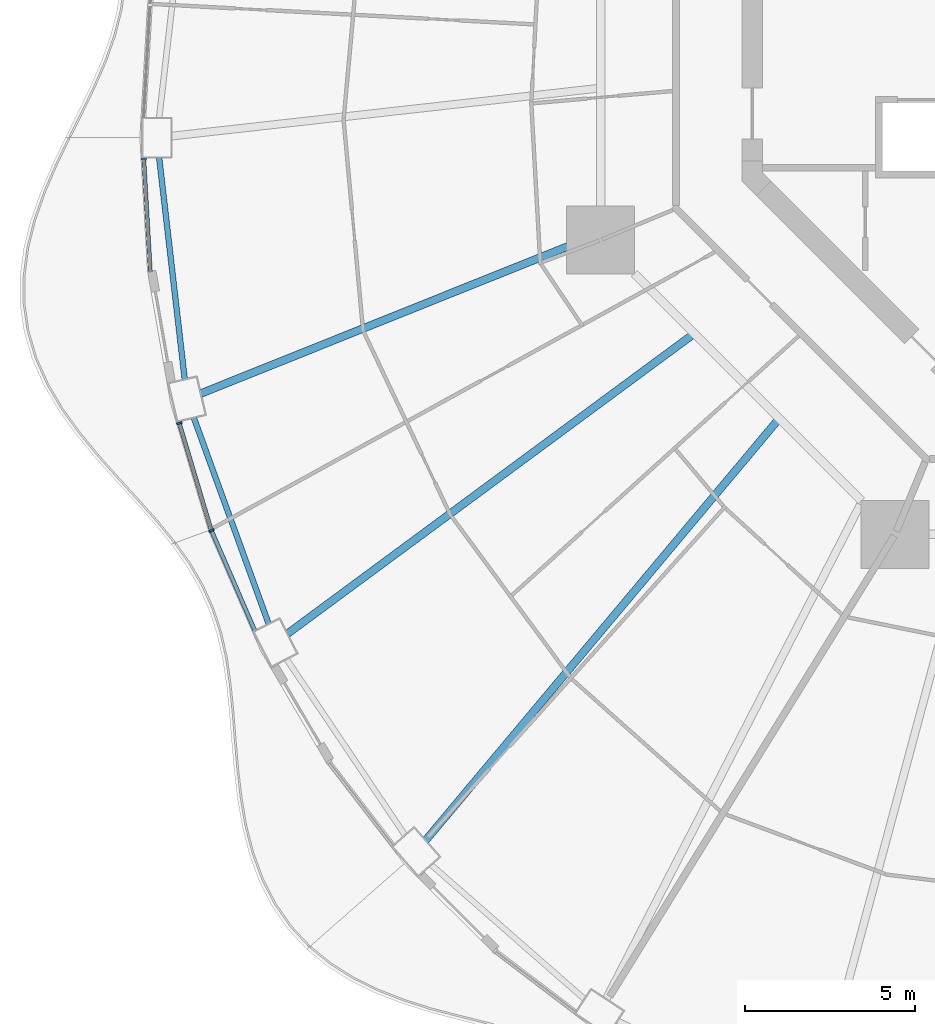
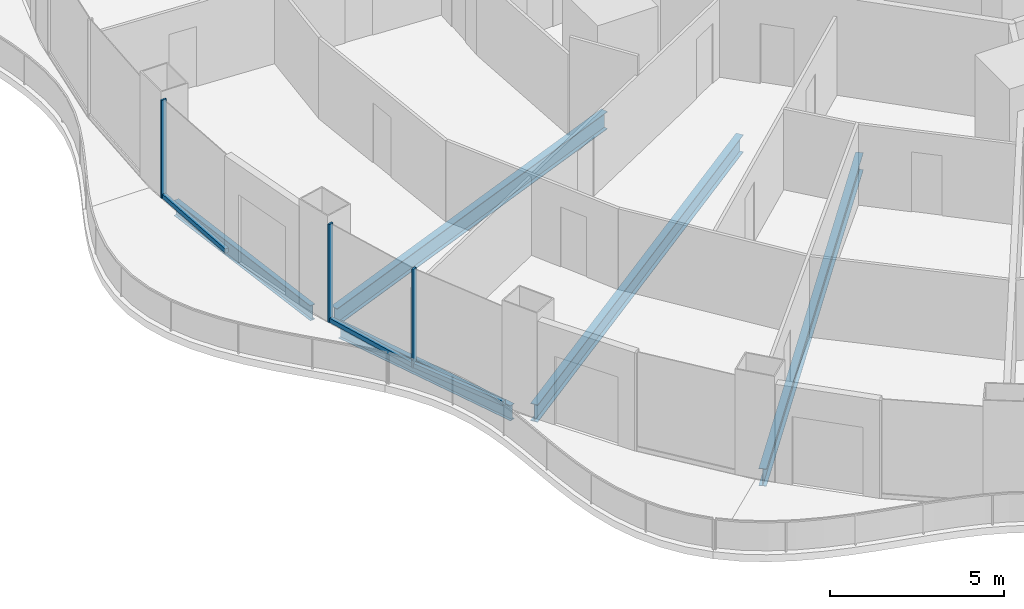
# One storey, part 3 of 20: 6 members, 5 beams, 3 elements without a shape of their own.
"""IFC4 building model written with IfcOpenShell, lengths in metres."""

from ifc_helpers import new_model, si_unit, direction, frame, origin, origin_2d, place, context, subcontext, project, spatial, rectangle, i_section, extrude, material, layer, layer_set, material_profile, profile_set, type_object, element, aggregate, save


model = new_model("IFC4")

# Units and contexts
model_context = context("Model", 3, precision=1e-05, world=origin(), true_north=direction((0.0, 1.0)))
body_context = subcontext(model_context, "Body", "Model", "MODEL_VIEW")
ifc_project = project(units=[si_unit("LENGTHUNIT", "METRE"), si_unit("AREAUNIT", "SQUARE_METRE"), si_unit("VOLUMEUNIT", "CUBIC_METRE"), si_unit("PLANEANGLEUNIT", "RADIAN"), si_unit("MASSUNIT", "GRAM", prefix="KILO")], contexts=[model_context])

# Site, building, storey
site_placement = place(None, origin())
site = spatial("IfcSite", under=ifc_project, at=site_placement, CompositionType="ELEMENT")
building_placement = place(site_placement, origin())
building = spatial("IfcBuilding", under=site, at=building_placement, Name="Nagisa Residences", CompositionType="ELEMENT")
storey_placement = place(building_placement, frame((0.0, 0.0, 141.800048828125)))
storey = spatial("IfcBuildingStorey", under=building, at=storey_placement, Name="L35", CompositionType="ELEMENT", Elevation=141.800048828125)

# Curtain wall, member
ifc_material_1 = material(Name="Concrete-coloured aluminium curtain wall system", Category="concrete")
ifc_layer = layer(ifc_material_1, 0.159912109375)
ifc_layer_set = layer_set([ifc_layer], Name="CW1 CURTAIN WALL")
curtain_wall_type = type_object("IfcCurtainWallType", Name="CW1 CURTAIN WALL", PredefinedType="NOTDEFINED", material=ifc_layer_set)
curtain_wall_1_placement = place(storey_placement, origin())
curtain_wall_1 = element("IfcCurtainWall", 1, at=curtain_wall_1_placement, inside=storey, type_object=curtain_wall_type, Name="cw:CW1:L35:24", PredefinedType="NOTDEFINED")
ifc_material_2 = material(Name="Concrete-coloured aluminium", Category="concrete")
ifc_material_profile_1 = material_profile(ifc_material_2, rectangle(XDim=0.159912109375, YDim=0.06005859375, at=origin_2d()), Name="CW1 MULLION 160x60")
ifc_profile_set_1 = profile_set([ifc_material_profile_1], Name="Concrete-coloured aluminium")
member_type_1 = type_object("IfcMemberType", Name="CW1 MULLION 160x60", PredefinedType="MULLION", material=ifc_profile_set_1)
member_1_placement = place(storey_placement, frame((-28.218994140625, -3.741943359375, 0.0), z_axis=(0.0, 0.0, 1.0), x_axis=(0.998345305184, 0.057503492216, 0.0)))
member_1 = element("IfcMember", 2, at=member_1_placement, type_object=member_type_1, Name="CW1 mullion", PredefinedType="MULLION", context=body_context, shape_type="SweptSolid", body=[
    extrude(rectangle(XDim=0.159912109375, YDim=0.06005859375, at=origin_2d()), origin(), (0.0, 0.0, 1.0), 3.43994140625),
])

curtain_wall_2_placement = place(storey_placement, origin())
curtain_wall_2 = element("IfcCurtainWall", 3, at=curtain_wall_2_placement, inside=storey, type_object=curtain_wall_type, Name="cw:CW1:L35:26", PredefinedType="NOTDEFINED")
member_2_placement = place(storey_placement, frame((-27.174072265625, -11.513671875, 0.0), z_axis=(0.0, 0.0, 1.0), x_axis=(0.958271310082, 0.285860274038, 0.0)))
member_2 = element("IfcMember", 4, at=member_2_placement, type_object=member_type_1, Name="CW1 mullion", PredefinedType="MULLION", context=body_context, shape_type="SweptSolid", body=[
    extrude(rectangle(XDim=0.159912109375, YDim=0.06005859375, at=origin_2d()), origin(), (0.0, 0.0, 1.0), 3.43994140625),
])

curtain_wall_3_placement = place(storey_placement, origin())
curtain_wall_3 = element("IfcCurtainWall", 5, at=curtain_wall_3_placement, inside=storey, type_object=curtain_wall_type, Name="cw:CW1:L35:27", PredefinedType="NOTDEFINED")
member_3_placement = place(storey_placement, frame((-26.229736328125, -14.66845703125, 0.0), z_axis=(0.0, 0.0, 1.0), x_axis=(0.917543276295, 0.397635934147, 0.0)))
member_3 = element("IfcMember", 6, at=member_3_placement, type_object=member_type_1, Name="CW1 mullion", PredefinedType="MULLION", context=body_context, shape_type="SweptSolid", body=[
    extrude(rectangle(XDim=0.159912109375, YDim=0.06005859375, at=origin_2d()), origin(), (0.0, 0.0, 1.0), 3.43994140625),
])

# Member
ifc_material_3 = material(Name="Concrete-coloured aluminium", Category="concrete")
ifc_material_profile_2 = material_profile(ifc_material_3, rectangle(XDim=0.1201171875, YDim=0.14990234375, at=origin_2d()), Name="CW1 TRANSOM 120x150")
ifc_profile_set_2 = profile_set([ifc_material_profile_2], Name="Concrete-coloured aluminium")
member_type_2 = type_object("IfcMemberType", Name="CW1 TRANSOM 120x150", PredefinedType="USERDEFINED", material=ifc_profile_set_2)
member_4_placement = place(storey_placement, frame((-28.220703125, -3.712158203125, 0.074951171875), z_axis=(0.057537829427, -0.998343326809, 0.0), x_axis=(0.998343326809, 0.057537829427, 0.0)))
member_4 = element("IfcMember", 7, at=member_4_placement, type_object=member_type_2, Name="CW1 transom", ObjectType="TRANSOM", PredefinedType="USERDEFINED", context=body_context, shape_type="SweptSolid", body=[
    extrude(rectangle(XDim=0.1201171875, YDim=0.14990234375, at=origin_2d()), origin(), (0.0, 0.0, 1.0), 3.347900390625),
])

aggregate(curtain_wall_1, [member_1, member_4])

member_5_placement = place(storey_placement, frame((-27.1826171875, -11.48486328125, 0.074951171875), z_axis=(0.285842038783, -0.958276749621, 0.0), x_axis=(0.958276749621, 0.285842038783, 0.0)))
member_5 = element("IfcMember", 8, at=member_5_placement, type_object=member_type_2, Name="CW1 transom", ObjectType="TRANSOM", PredefinedType="USERDEFINED", context=body_context, shape_type="SweptSolid", body=[
    extrude(rectangle(XDim=0.1201171875, YDim=0.14990234375, at=origin_2d()), origin(), (0.0, 0.0, 1.0), 3.302734375),
])

aggregate(curtain_wall_2, [member_2, member_5])

member_6_placement = place(storey_placement, frame((-26.24169921875, -14.64111328125, 0.074951171875), z_axis=(0.397666272939, -0.917530127771, 0.0), x_axis=(0.917530127771, 0.397666272939, 0.0)))
member_6 = element("IfcMember", 9, at=member_6_placement, type_object=member_type_2, Name="CW1 transom", ObjectType="TRANSOM", PredefinedType="USERDEFINED", context=body_context, shape_type="SweptSolid", body=[
    extrude(rectangle(XDim=0.1201171875, YDim=0.14990234375, at=origin_2d()), origin(), (0.0, 0.0, 1.0), 3.260498046875),
])

aggregate(curtain_wall_3, [member_3, member_6])

# Beams
ifc_material_4 = material(Name="Steel ASTM A572 Gr 50", Category="steel")
ifc_material_profile_3 = material_profile(ifc_material_4, i_section(OverallWidth=0.166015625, OverallDepth=0.534912109375, WebThickness=0.01025390625, FlangeThickness=0.0166015625, at=origin_2d()), Name="W530x85")
ifc_profile_set_3 = profile_set([ifc_material_profile_3], Name="Steel ASTM A572 Gr 50")
beam_type_1 = type_object("IfcBeamType", Name="Perimeter ring beam W530x85", PredefinedType="BEAM", material=ifc_profile_set_3)
beam_1_placement = place(storey_placement, frame((-27.76806640625, -3.69775390625, -0.527587890625), z_axis=(0.114660786771, -0.993404703017, 0.0), x_axis=(0.993404703017, 0.114660786771, 0.0)))
element("IfcBeam", 10, at=beam_1_placement, inside=storey, type_object=beam_type_1, Name="beam:L35:pb13", PredefinedType="BEAM", context=body_context, shape_type="SweptSolid", body=[
    extrude(i_section(OverallWidth=0.166015625, OverallDepth=0.534912109375, WebThickness=0.01025390625, FlangeThickness=0.0166015625, at=origin_2d()), origin(), (0.0, 0.0, 1.0), 6.568603515625),
])
beam_2_placement = place(storey_placement, frame((-26.74853515625, -11.352294921875, -0.527587890625), z_axis=(0.341366238276, -0.939930365168, 0.0), x_axis=(0.939930365168, 0.341366238276, 0.0)))
element("IfcBeam", 11, at=beam_2_placement, inside=storey, type_object=beam_type_1, Name="beam:L35:pb14", PredefinedType="BEAM", context=body_context, shape_type="SweptSolid", body=[
    extrude(i_section(OverallWidth=0.166015625, OverallDepth=0.534912109375, WebThickness=0.01025390625, FlangeThickness=0.0166015625, at=origin_2d()), origin(), (0.0, 0.0, 1.0), 6.450927734375),
])
ifc_material_5 = material(Name="Steel ASTM A572 Gr 50", Category="steel")
ifc_material_profile_4 = material_profile(ifc_material_5, i_section(OverallWidth=0.22900390625, OverallDepth=0.612060546875, WebThickness=0.011962890625, FlangeThickness=0.01953125, at=origin_2d()), Name="W610x125")
ifc_profile_set_4 = profile_set([ifc_material_profile_4], Name="Steel ASTM A572 Gr 50")
beam_type_2 = type_object("IfcBeamType", Name="Radial beam W610x125", PredefinedType="BEAM", material=ifc_profile_set_4)
beam_3_placement = place(storey_placement, frame((-26.5439453125, -10.641357421875, -0.566162109375), z_axis=(0.928186733156, 0.372114751648, 0.0), x_axis=(-0.372114751648, 0.928186733156, 0.0)))
element("IfcBeam", 12, at=beam_3_placement, inside=storey, type_object=beam_type_2, Name="beam:L35:rb14", PredefinedType="BEAM", context=body_context, shape_type="SweptSolid", body=[
    extrude(i_section(OverallWidth=0.22900390625, OverallDepth=0.612060546875, WebThickness=0.011962890625, FlangeThickness=0.01953125, at=origin_2d()), origin(), (0.0, 0.0, 1.0), 12.554931640625),
])
beam_4_placement = place(storey_placement, frame((-23.995849609375, -17.7060546875, -0.566162109375), z_axis=(0.804660796299, 0.59373479172, 0.0), x_axis=(-0.59373479172, 0.804660796299, 0.0)))
element("IfcBeam", 13, at=beam_4_placement, inside=storey, type_object=beam_type_2, Name="beam:L35:rb15", PredefinedType="BEAM", context=body_context, shape_type="SweptSolid", body=[
    extrude(i_section(OverallWidth=0.22900390625, OverallDepth=0.612060546875, WebThickness=0.011962890625, FlangeThickness=0.01953125, at=origin_2d()), origin(), (0.0, 0.0, 1.0), 14.763427734375),
])
beam_5_placement = place(storey_placement, frame((-19.929931640625, -23.78173828125, -0.566162109375), z_axis=(0.642300860107, 0.766452611128, 0.0), x_axis=(-0.766452611128, 0.642300860107, 0.0)))
element("IfcBeam", 14, at=beam_5_placement, inside=storey, type_object=beam_type_2, Name="beam:L35:rb16", PredefinedType="BEAM", context=body_context, shape_type="SweptSolid", body=[
    extrude(i_section(OverallWidth=0.22900390625, OverallDepth=0.612060546875, WebThickness=0.011962890625, FlangeThickness=0.01953125, at=origin_2d()), origin(), (0.0, 0.0, 1.0), 16.081787109375),
])

save(model, "model.ifc")
